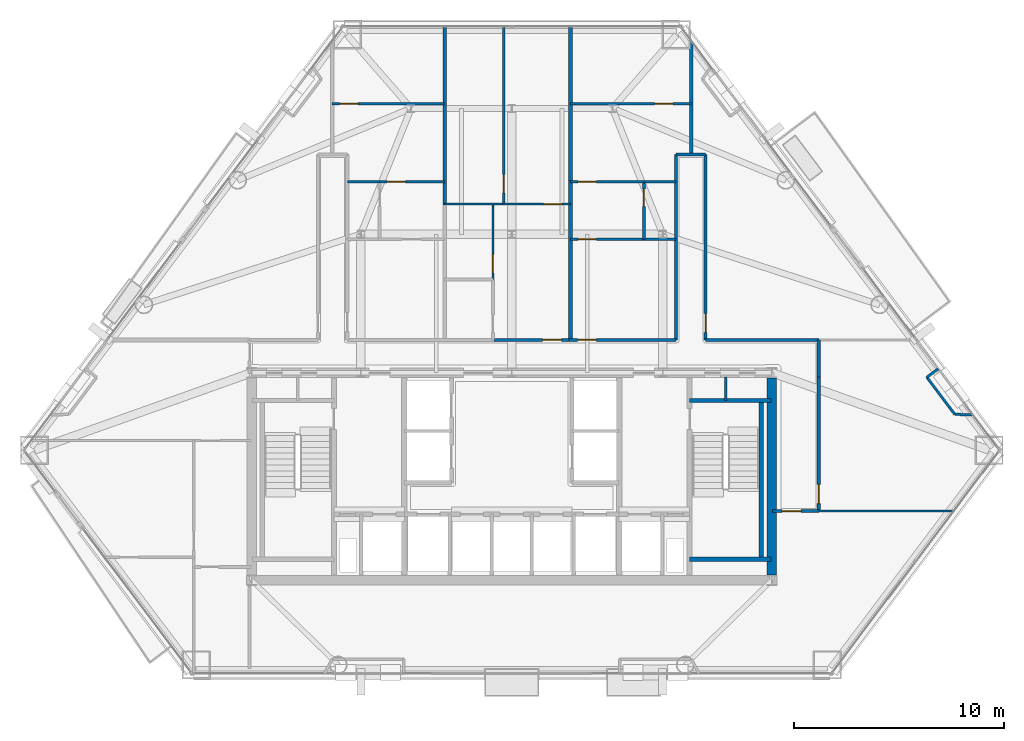
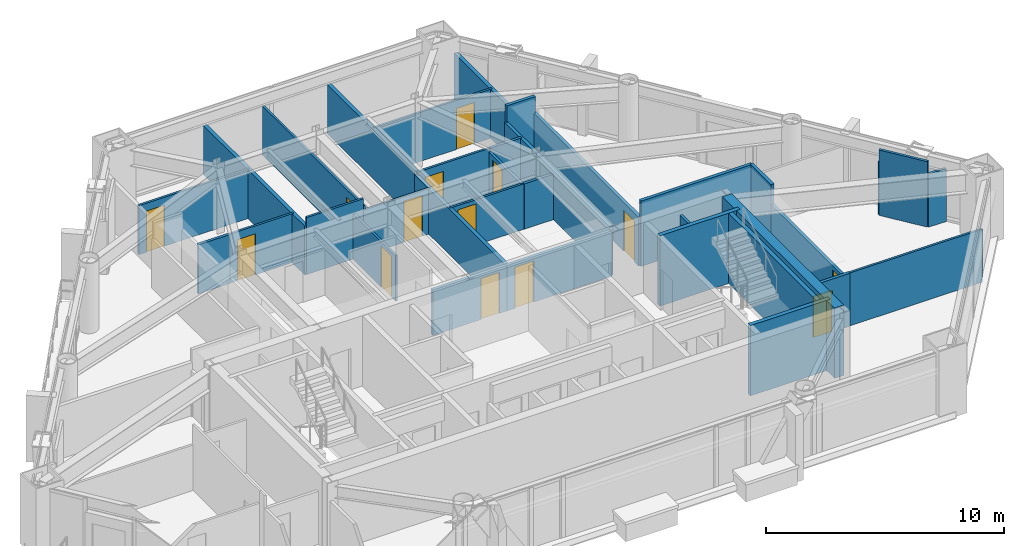
# One storey, part 8 of 11: 35 walls, 14 doors, 14 openings.
"""IFC4 building model written with IfcOpenShell, lengths in metres."""

from ifc_helpers import new_model, si_unit, direction, frame, frame_2d, origin, place, context, subcontext, project, spatial, rectangle, extrude, material, layer, layer_set, type_object, element, fill, save


model = new_model("IFC4")

# Units and contexts
model_context = context("Model", 3, precision=1e-05, world=origin(), true_north=direction((0.0, 1.0)))
body_context = subcontext(model_context, "Body", "Model", "MODEL_VIEW")
ifc_project = project(units=[si_unit("LENGTHUNIT", "METRE"), si_unit("AREAUNIT", "SQUARE_METRE"), si_unit("VOLUMEUNIT", "CUBIC_METRE"), si_unit("PLANEANGLEUNIT", "RADIAN"), si_unit("MASSUNIT", "GRAM", prefix="KILO")], contexts=[model_context])

# Site, building, storey
site_placement = place(None, origin())
site = spatial("IfcSite", under=ifc_project, at=site_placement, CompositionType="ELEMENT")
building_placement = place(site_placement, origin())
building = spatial("IfcBuilding", under=site, at=building_placement, Name="Talgorran Terracotta Tower", CompositionType="ELEMENT")
storey_placement = place(building_placement, frame((0.0, 0.0, 45.89990234375)))
storey = spatial("IfcBuildingStorey", under=building, at=storey_placement, Name="L11", CompositionType="ELEMENT", Elevation=45.89990234375)

# Walls
ifc_material_1 = material(Name="Concrete C50/60", Category="concrete")
ifc_layer_1 = layer(ifc_material_1, 0.199951171875, Name="WT_CORE_200")
ifc_layer_set_1 = layer_set([ifc_layer_1], Name="Concrete C50/60")
wall_type_1 = type_object("IfcWallType", Name="WT_CORE_200", PredefinedType="SOLIDWALL", material=ifc_layer_set_1)
for number, where, z_axis, x_axis, name in (
    (1, (8.47998046875, -5.52001953125, 0.0), (0.0, 0.0, 1.0), (1.0, 0.0, 0.0), "WL-L11-CW-ST2-N"),
    (2, (8.47998046875, -13.10009765625, 0.0), (0.0, 0.0, 1.0), (1.0, 0.0, 0.0), "WL-L11-CW-ST2-S"),
):
    element("IfcWall", number, at=place(storey_placement, frame(where, z_axis=z_axis, x_axis=x_axis)), inside=storey, type_object=wall_type_1, Name=name, PredefinedType="SOLIDWALL", context=body_context, shape_type="SweptSolid", body=[
        extrude(rectangle(XDim=3.8701171875, YDim=0.199951171875, at=frame_2d((1.93505859375, 0.0))), origin(), (0.0, 0.0, 1.0), 3.60009765625),
    ])
wall_1_placement = place(storey_placement, frame((11.89990234375, -13.10009765625, 0.0), z_axis=(0.0, 0.0, 1.0), x_axis=(0.0, 1.0, 0.0)))
element("IfcWall", 3, at=wall_1_placement, inside=storey, type_object=wall_type_1, Name="WL-L11-CW-ST2-E", PredefinedType="SOLIDWALL", context=body_context, shape_type="SweptSolid", body=[
    extrude(rectangle(XDim=7.580078125, YDim=0.199951171875, at=frame_2d((3.7900390625, 0.0))), origin(), (0.0, 0.0, 1.0), 3.60009765625),
])
ifc_material_2 = material(Name="Concrete C65/80", Category="concrete")
ifc_layer_2 = layer(ifc_material_2, 0.449951171875, Name="WT_CORE_EXT")
ifc_layer_set_2 = layer_set([ifc_layer_2], Name="Concrete C65/80")
wall_type_2 = type_object("IfcWallType", Name="WT_CORE_EXT", PredefinedType="SHEAR", material=ifc_layer_set_2)
wall_2_placement = place(storey_placement, frame((12.39990234375, -13.85009765625, 0.0), z_axis=(0.0, 0.0, 1.0), x_axis=(0.0, 1.0, 0.0)))
element("IfcWall", 4, at=wall_2_placement, inside=storey, type_object=wall_type_2, Name="WL-L11-CW-OUT-E", PredefinedType="SHEAR", context=body_context, shape_type="SweptSolid", body=[
    extrude(rectangle(XDim=9.400146484375, YDim=0.449951171875, at=frame_2d((4.7001953125, 0.0))), origin(), (0.0, 0.0, 1.0), 3.60009765625),
])

# Wall, opening, door
ifc_material_3 = material(Name="Fire-Rated Steel Stud Plasterboard", Category="steel")
ifc_layer_3 = layer(ifc_material_3, 0.14990234375, Name="WT_FIRE_150")
ifc_layer_set_3 = layer_set([ifc_layer_3], Name="Fire-Rated Steel Stud Plasterboard")
wall_type_3 = type_object("IfcWallType", Name="WT_FIRE_150", PredefinedType="PARTITIONING", material=ifc_layer_set_3)
wall_3_placement = place(storey_placement, frame((9.239990234375, -2.639892578125, 0.0), z_axis=(0.0, 0.0, 1.0), x_axis=(0.0, 1.0, 0.0)))
wall_3 = element("IfcWall", 5, at=wall_3_placement, inside=storey, type_object=wall_type_3, Name="WL-L11-W-L11-R21", PredefinedType="PARTITIONING", context=body_context, shape_type="SweptSolid", body=[
    extrude(rectangle(XDim=8.83984375, YDim=0.14990234375, at=frame_2d((4.419921875, 0.0))), origin(), (0.0, 0.0, 1.0), 2.509033203125),
])
opening_1_placement = place(wall_3_placement, frame((0.359375, 0.0, 0.0)))
opening_1 = element("IfcOpeningElement", 6, at=opening_1_placement, cuts=wall_3, Name="Opening DR-L11-R22", PredefinedType="OPENING", context=body_context, shape_type="SweptSolid", body=[
    extrude(rectangle(XDim=0.90590234375, YDim=2.10409765625, at=frame_2d((0.449951171875, 1.052001953125))), frame((0.0, 0.0849609375, 0.0), z_axis=(0.0, -1.0, 0.0), x_axis=(1.0, 0.0, 0.0)), (0.0, 0.0, 1.0), 0.169921875),
])
ifc_material_4 = material(Name="Fire-Rated Timber Core", Category="wood")
door_type_1 = type_object("IfcDoorType", Name="DT_FIRE_900", OperationType="NOTDEFINED", PredefinedType="DOOR", material=ifc_material_4)
door_1_placement = place(opening_1_placement, origin())
door_1 = element("IfcDoor", 7, at=door_1_placement, inside=storey, type_object=door_type_1, Name="DR-L11-R22", OperationType="SINGLE_SWING_RIGHT", OverallHeight=2.10009765625, OverallWidth=0.89990234375, PredefinedType="DOOR", context=body_context, shape_type="SweptSolid", body=[
    extrude(rectangle(XDim=0.89990234375, YDim=2.10009765625, at=frame_2d((0.449951171875, 1.050048828125))), frame((0.0, 0.02490234375, 0.0), z_axis=(0.0, -1.0, 0.0), x_axis=(1.0, 0.0, 0.0)), (0.0, 0.0, 1.0), 0.050048828125),
])
fill(opening_1, door_1)

wall_4_placement = place(storey_placement, frame((14.639892578125, -10.800048828125, 0.0), z_axis=(0.0, 0.0, 1.0), x_axis=(0.0, 1.0, 0.0)))
wall_4 = element("IfcWall", 8, at=wall_4_placement, inside=storey, type_object=wall_type_3, Name="WL-L11-W-L11-R02", PredefinedType="PARTITIONING", context=body_context, shape_type="SweptSolid", body=[
    extrude(rectangle(XDim=6.400146484375, YDim=0.14990234375, at=frame_2d((3.2001953125, 0.0))), origin(), (0.0, 0.0, 1.0), 2.3251953125),
])
opening_2_placement = place(wall_4_placement, frame((0.359130859375, 0.0, 0.0)))
opening_2 = element("IfcOpeningElement", 9, at=opening_2_placement, cuts=wall_4, Name="Opening DR-L11-R04", PredefinedType="OPENING", context=body_context, shape_type="SweptSolid", body=[
    extrude(rectangle(XDim=0.90590234375, YDim=2.10409765625, at=frame_2d((0.449951171875, 1.052001953125))), frame((0.0, 0.0849609375, 0.0), z_axis=(0.0, -1.0, 0.0), x_axis=(1.0, 0.0, 0.0)), (0.0, 0.0, 1.0), 0.169921875),
])
door_2_placement = place(opening_2_placement, origin())
door_2 = element("IfcDoor", 10, at=door_2_placement, inside=storey, type_object=door_type_1, Name="DR-L11-R04", OperationType="SINGLE_SWING_RIGHT", OverallHeight=2.10009765625, OverallWidth=0.89990234375, PredefinedType="DOOR", context=body_context, shape_type="SweptSolid", body=[
    extrude(rectangle(XDim=0.89990234375, YDim=2.10009765625, at=frame_2d((0.449951171875, 1.050048828125))), frame((0.0, 0.02490234375, 0.0), z_axis=(0.0, -1.0, 0.0), x_axis=(1.0, 0.0, 0.0)), (0.0, 0.0, 1.0), 0.050048828125),
])
fill(opening_2, door_2)

# Wall
wall_5_placement = place(storey_placement, frame((9.239990234375, -2.639892578125, 0.0), z_axis=(0.0, 0.0, 1.0), x_axis=(1.0, 0.0, 0.0)))
element("IfcWall", 11, at=wall_5_placement, inside=storey, type_object=wall_type_3, Name="WL-L11-W-L11-R22", PredefinedType="PARTITIONING", context=body_context, shape_type="SweptSolid", body=[
    extrude(rectangle(XDim=5.39990234375, YDim=0.14990234375, at=frame_2d((2.699951171875, 0.0))), origin(), (0.0, 0.0, 1.0), 3.35009765625),
])

# Wall, opening, door
wall_6_placement = place(storey_placement, frame((2.739990234375, -2.639892578125, 0.0), z_axis=(0.0, 0.0, 1.0), x_axis=(1.0, 0.0, 0.0)))
wall_6 = element("IfcWall", 12, at=wall_6_placement, inside=storey, type_object=wall_type_3, Name="WL-L11-W-L11-R15", PredefinedType="PARTITIONING", context=body_context, shape_type="SweptSolid", body=[
    extrude(rectangle(XDim=5.10009765625, YDim=0.14990234375, at=frame_2d((2.550048828125, 0.0))), origin(), (0.0, 0.0, 1.0), 2.3251953125),
])
opening_3_placement = place(wall_6_placement, frame((0.39990234375, 0.0, 0.0)))
opening_3 = element("IfcOpeningElement", 13, at=opening_3_placement, cuts=wall_6, Name="Opening DR-L11-R17", PredefinedType="OPENING", context=body_context, shape_type="SweptSolid", body=[
    extrude(rectangle(XDim=0.90590234375, YDim=2.10409765625, at=frame_2d((0.449951171875, 1.052001953125))), frame((0.0, 0.0849609375, 0.0), z_axis=(0.0, -1.0, 0.0), x_axis=(1.0, 0.0, 0.0)), (0.0, 0.0, 1.0), 0.169921875),
])
door_3_placement = place(opening_3_placement, origin())
door_3 = element("IfcDoor", 14, at=door_3_placement, inside=storey, type_object=door_type_1, Name="DR-L11-R17", OperationType="SINGLE_SWING_LEFT", OverallHeight=2.10009765625, OverallWidth=0.89990234375, PredefinedType="DOOR", context=body_context, shape_type="SweptSolid", body=[
    extrude(rectangle(XDim=0.89990234375, YDim=2.10009765625, at=frame_2d((0.449951171875, 1.050048828125))), frame((0.0, 0.02490234375, 0.0), z_axis=(0.0, -1.0, 0.0), x_axis=(1.0, 0.0, 0.0)), (0.0, 0.0, 1.0), 0.050048828125),
])
fill(opening_3, door_3)

# Wall
wall_7_placement = place(storey_placement, frame((7.840087890625, -2.639892578125, 0.0), z_axis=(0.0, 0.0, 1.0), x_axis=(0.0, 1.0, 0.0)))
element("IfcWall", 15, at=wall_7_placement, inside=storey, type_object=wall_type_3, Name="WL-L11-W-L11-R16", PredefinedType="PARTITIONING", context=body_context, shape_type="SweptSolid", body=[
    extrude(rectangle(XDim=8.83984375, YDim=0.14990234375, at=frame_2d((4.419921875, 0.0))), origin(), (0.0, 0.0, 1.0), 2.509033203125),
])

# Wall, opening, door
wall_8_placement = place(storey_placement, frame((-0.837890625, -2.639892578125, 0.0), z_axis=(0.0, 0.0, 1.0), x_axis=(1.0, 0.0, 0.0)))
wall_8 = element("IfcWall", 16, at=wall_8_placement, inside=storey, type_object=wall_type_3, Name="WL-L11-W-L11-R14", PredefinedType="PARTITIONING", context=body_context, shape_type="SweptSolid", body=[
    extrude(rectangle(XDim=3.575927734375, YDim=0.14990234375, at=frame_2d((1.7880859375, 0.0))), origin(), (0.0, 0.0, 1.0), 2.3251953125),
])
opening_4_placement = place(wall_8_placement, frame((2.318115234375, 0.0, 0.0)))
opening_4 = element("IfcOpeningElement", 17, at=opening_4_placement, cuts=wall_8, Name="Opening DR-L11-R14", PredefinedType="OPENING", context=body_context, shape_type="SweptSolid", body=[
    extrude(rectangle(XDim=0.90590234375, YDim=2.10409765625, at=frame_2d((0.449951171875, 1.052001953125))), frame((0.0, 0.0849609375, 0.0), z_axis=(0.0, -1.0, 0.0), x_axis=(1.0, 0.0, 0.0)), (0.0, 0.0, 1.0), 0.169921875),
])
door_4_placement = place(opening_4_placement, origin())
door_4 = element("IfcDoor", 18, at=door_4_placement, inside=storey, type_object=door_type_1, Name="DR-L11-R14", OperationType="SINGLE_SWING_RIGHT", OverallHeight=2.10009765625, OverallWidth=0.89990234375, PredefinedType="DOOR", context=body_context, shape_type="SweptSolid", body=[
    extrude(rectangle(XDim=0.89990234375, YDim=2.10009765625, at=frame_2d((0.449951171875, 1.050048828125))), frame((0.0, 0.02490234375, 0.0), z_axis=(0.0, -1.0, 0.0), x_axis=(1.0, 0.0, 0.0)), (0.0, 0.0, 1.0), 0.050048828125),
])
fill(opening_4, door_4)

wall_9_placement = place(storey_placement, frame((12.43994140625, -10.800048828125, 0.0), z_axis=(0.0, 0.0, 1.0), x_axis=(1.0, 0.0, 0.0)))
wall_9 = element("IfcWall", 19, at=wall_9_placement, inside=storey, type_object=wall_type_3, Name="WL-L11-W-L11-R04", PredefinedType="PARTITIONING", context=body_context, shape_type="SweptSolid", body=[
    extrude(rectangle(XDim=2.199951171875, YDim=0.14990234375, at=frame_2d((1.10009765625, 0.0))), origin(), (0.0, 0.0, 1.0), 2.71337890625),
])
opening_5_placement = place(wall_9_placement, frame((0.456298828125, 0.0, 0.0)))
opening_5 = element("IfcOpeningElement", 20, at=opening_5_placement, cuts=wall_9, Name="Opening DR-L11-R05", PredefinedType="OPENING", context=body_context, shape_type="SweptSolid", body=[
    extrude(rectangle(XDim=0.90590234375, YDim=2.10409765625, at=frame_2d((0.449951171875, 1.052001953125))), frame((0.0, 0.0849609375, 0.0), z_axis=(0.0, -1.0, 0.0), x_axis=(1.0, 0.0, 0.0)), (0.0, 0.0, 1.0), 0.169921875),
])
door_5_placement = place(opening_5_placement, origin())
door_5 = element("IfcDoor", 21, at=door_5_placement, inside=storey, type_object=door_type_1, Name="DR-L11-R05", OperationType="SINGLE_SWING_LEFT", OverallHeight=2.10009765625, OverallWidth=0.89990234375, PredefinedType="DOOR", context=body_context, shape_type="SweptSolid", body=[
    extrude(rectangle(XDim=0.89990234375, YDim=2.10009765625, at=frame_2d((0.449951171875, 1.050048828125))), frame((0.0, 0.02490234375, 0.0), z_axis=(0.0, -1.0, 0.0), x_axis=(1.0, 0.0, 0.0)), (0.0, 0.0, 1.0), 0.050048828125),
])
fill(opening_5, door_5)

# Walls
wall_10_placement = place(storey_placement, frame((14.639892578125, -4.39990234375, 0.0), z_axis=(0.0, 0.0, 1.0), x_axis=(0.0, 1.0, 0.0)))
element("IfcWall", 22, at=wall_10_placement, inside=storey, type_object=wall_type_3, Name="WL-L11-W-L11-R03", PredefinedType="PARTITIONING", context=body_context, shape_type="SweptSolid", body=[
    extrude(rectangle(XDim=1.760009765625, YDim=0.14990234375, at=frame_2d((0.8798828125, 0.0))), origin(), (0.0, 0.0, 1.0), 3.35009765625),
])
wall_11_placement = place(storey_placement, frame((7.840087890625, 6.199951171875, 0.0), z_axis=(0.0, 0.0, 1.0), x_axis=(1.0, 0.0, 0.0)))
element("IfcWall", 23, at=wall_11_placement, inside=storey, type_object=wall_type_3, Name="WL-L11-W-L11-R19", PredefinedType="PARTITIONING", context=body_context, shape_type="SweptSolid", body=[
    extrude(rectangle(XDim=1.39990234375, YDim=0.14990234375, at=frame_2d((0.699951171875, 0.0))), origin(), (0.0, 0.0, 1.0), 3.35009765625),
])
ifc_material_5 = material(Name="Acoustic Stud and Plasterboard")
ifc_layer_4 = layer(ifc_material_5, 0.179931640625, Name="WT_PARTY_200")
ifc_layer_set_4 = layer_set([ifc_layer_4], Name="Acoustic Stud and Plasterboard")
wall_type_4 = type_object("IfcWallType", Name="WT_PARTY_200", PredefinedType="PARTITIONING", material=ifc_layer_set_4)
wall_12_placement = place(storey_placement, frame((2.800048828125, -2.639892578125, 0.0), z_axis=(0.0, 0.0, 1.0), x_axis=(0.0, 1.0, 0.0)))
element("IfcWall", 24, at=wall_12_placement, inside=storey, type_object=wall_type_4, Name="WL-L11-W-L11-R53", PredefinedType="PARTITIONING", context=body_context, shape_type="SweptSolid", body=[
    extrude(rectangle(XDim=7.599853515625, YDim=0.179931640625, at=frame_2d((3.7998046875, 0.0))), origin(), (0.0, 0.0, 1.0), 2.3251953125),
])
wall_13_placement = place(storey_placement, frame((2.800048828125, 4.9619140625, 0.0), z_axis=(0.0, 0.0, 1.0), x_axis=(0.0, 1.0, 0.0)))
element("IfcWall", 25, at=wall_13_placement, inside=storey, type_object=wall_type_4, Name="WL-L11-W-L11-R57", PredefinedType="PARTITIONING", context=body_context, shape_type="SweptSolid", body=[
    extrude(rectangle(XDim=7.34375, YDim=0.179931640625, at=frame_2d((3.671875, 0.0))), origin(), (0.0, 0.0, 1.0), 2.509033203125),
])
wall_14_placement = place(storey_placement, frame((-3.199951171875, 3.800048828125, 0.0), z_axis=(0.0, 0.0, 1.0), x_axis=(0.0, 1.0, 0.0)))
element("IfcWall", 26, at=wall_14_placement, inside=storey, type_object=wall_type_4, Name="WL-L11-W-L11-R45", PredefinedType="PARTITIONING", context=body_context, shape_type="SweptSolid", body=[
    extrude(rectangle(XDim=8.505615234375, YDim=0.179931640625, at=frame_2d((4.2529296875, 0.0))), origin(), (0.0, 0.0, 1.0), 2.509033203125),
])
wall_15_placement = place(storey_placement, frame((8.56005859375, 6.199951171875, 0.0), z_axis=(0.0, 0.0, 1.0), x_axis=(0.0, 1.0, 0.0)))
element("IfcWall", 27, at=wall_15_placement, inside=storey, type_object=wall_type_4, Name="WL-L11-W-L11-R66", PredefinedType="PARTITIONING", context=body_context, shape_type="SweptSolid", body=[
    extrude(rectangle(XDim=5.424560546875, YDim=0.179931640625, at=frame_2d((2.71240234375, 0.0))), origin(), (0.0, 0.0, 1.0), 2.509033203125),
])

# Wall, opening, door
ifc_material_6 = material(Name="Lightweight Steel Stud Partition", Category="steel")
ifc_layer_5 = layer(ifc_material_6, 0.10498046875, Name="WT_PART_110")
ifc_layer_set_5 = layer_set([ifc_layer_5], Name="Lightweight Steel Stud Partition")
wall_type_5 = type_object("IfcWallType", Name="WT_PART_110", PredefinedType="PARTITIONING", material=ifc_layer_set_5)
wall_16_placement = place(storey_placement, frame((-0.3798828125, 3.840087890625, 0.0), z_axis=(0.0, 0.0, 1.0), x_axis=(0.0, 1.0, 0.0)))
wall_16 = element("IfcWall", 28, at=wall_16_placement, inside=storey, type_object=wall_type_5, Name="WL-L11-W-L11-R55", PredefinedType="PARTITIONING", context=body_context, shape_type="SweptSolid", body=[
    extrude(rectangle(XDim=8.465576171875, YDim=0.10498046875, at=frame_2d((4.23291015625, 0.0))), origin(), (0.0, 0.0, 1.0), 2.509033203125),
])
opening_6_placement = place(wall_16_placement, frame((0.51806640625, 0.0, 0.0)))
opening_6 = element("IfcOpeningElement", 29, at=opening_6_placement, cuts=wall_16, Name="Opening DR-L11-R15", PredefinedType="OPENING", context=body_context, shape_type="SweptSolid", body=[
    extrude(rectangle(XDim=0.8858828125, YDim=2.10409765625, at=frame_2d((0.43994140625, 1.052001953125))), frame((0.0, 0.0625, 0.0), z_axis=(0.0, -1.0, 0.0), x_axis=(1.0, 0.0, 0.0)), (0.0, 0.0, 1.0), 0.125),
])
ifc_material_7 = material(Name="Solid-Core Painted Timber", Category="wood")
door_type_2 = type_object("IfcDoorType", Name="DT_INT_880", OperationType="NOTDEFINED", PredefinedType="DOOR", material=ifc_material_7)
door_6_placement = place(opening_6_placement, origin())
door_6 = element("IfcDoor", 30, at=door_6_placement, inside=storey, type_object=door_type_2, Name="DR-L11-R15", OperationType="SINGLE_SWING_LEFT", OverallHeight=2.10009765625, OverallWidth=0.8798828125, PredefinedType="DOOR", context=body_context, shape_type="SweptSolid", body=[
    extrude(rectangle(XDim=0.8798828125, YDim=2.10009765625, at=frame_2d((0.43994140625, 1.050048828125))), frame((0.0, 0.02490234375, 0.0), z_axis=(0.0, -1.0, 0.0), x_axis=(1.0, 0.0, 0.0)), (0.0, 0.0, 1.0), 0.050048828125),
])
fill(opening_6, door_6)

# Wall
wall_17_placement = place(storey_placement, frame((14.639892578125, -10.800048828125, 0.0), z_axis=(0.0, 0.0, 1.0), x_axis=(1.0, 0.0, 0.0)))
element("IfcWall", 31, at=wall_17_placement, inside=storey, type_object=wall_type_5, Name="WL-L11-W-L11-R31", PredefinedType="PARTITIONING", context=body_context, shape_type="SweptSolid", body=[
    extrude(rectangle(XDim=6.429931640625, YDim=0.10498046875, at=frame_2d((3.21484375, 0.0))), origin(), (0.0, 0.0, 1.0), 2.71337890625),
])

# Wall, opening, door
wall_18_placement = place(storey_placement, frame((2.800048828125, 8.6201171875, 0.0), z_axis=(0.0, 0.0, 1.0), x_axis=(1.0, 0.0, 0.0)))
wall_18 = element("IfcWall", 32, at=wall_18_placement, inside=storey, type_object=wall_type_5, Name="WL-L11-W-L11-R64", PredefinedType="PARTITIONING", context=body_context, shape_type="SweptSolid", body=[
    extrude(rectangle(XDim=5.760009765625, YDim=0.10498046875, at=frame_2d((2.8798828125, 0.0))), origin(), (0.0, 0.0, 1.0), 2.509033203125),
])
opening_7_placement = place(wall_18_placement, frame((4.006591796875, 0.0, 0.0)))
opening_7 = element("IfcOpeningElement", 33, at=opening_7_placement, cuts=wall_18, Name="Opening DR-L11-R21", PredefinedType="OPENING", context=body_context, shape_type="SweptSolid", body=[
    extrude(rectangle(XDim=0.8858828125, YDim=2.10409765625, at=frame_2d((0.43994140625, 1.052001953125))), frame((0.0, 0.0625, 0.0), z_axis=(0.0, -1.0, 0.0), x_axis=(1.0, 0.0, 0.0)), (0.0, 0.0, 1.0), 0.125),
])
door_7_placement = place(opening_7_placement, origin())
door_7 = element("IfcDoor", 34, at=door_7_placement, inside=storey, type_object=door_type_2, Name="DR-L11-R21", OperationType="SINGLE_SWING_LEFT", OverallHeight=2.10009765625, OverallWidth=0.8798828125, PredefinedType="DOOR", context=body_context, shape_type="SweptSolid", body=[
    extrude(rectangle(XDim=0.8798828125, YDim=2.10009765625, at=frame_2d((0.43994140625, 1.050048828125))), frame((0.0, 0.02490234375, 0.0), z_axis=(0.0, -1.0, 0.0), x_axis=(1.0, 0.0, 0.0)), (0.0, 0.0, 1.0), 0.050048828125),
])
fill(opening_7, door_7)

wall_19_placement = place(storey_placement, frame((-8.56005859375, 8.6201171875, 0.0), z_axis=(0.0, 0.0, 1.0), x_axis=(1.0, 0.0, 0.0)))
wall_19 = element("IfcWall", 35, at=wall_19_placement, inside=storey, type_object=wall_type_5, Name="WL-L11-W-L11-R44", PredefinedType="PARTITIONING", context=body_context, shape_type="SweptSolid", body=[
    extrude(rectangle(XDim=5.360107421875, YDim=0.10498046875, at=frame_2d((2.68017578125, 0.0))), origin(), (0.0, 0.0, 1.0), 2.509033203125),
])
opening_8_placement = place(wall_19_placement, frame((0.35791015625, 0.0, 0.0)))
opening_8 = element("IfcOpeningElement", 36, at=opening_8_placement, cuts=wall_19, Name="Opening DR-L11-R11", PredefinedType="OPENING", context=body_context, shape_type="SweptSolid", body=[
    extrude(rectangle(XDim=0.8858828125, YDim=2.10409765625, at=frame_2d((0.43994140625, 1.052001953125))), frame((0.0, 0.0625, 0.0), z_axis=(0.0, -1.0, 0.0), x_axis=(1.0, 0.0, 0.0)), (0.0, 0.0, 1.0), 0.125),
])
door_8_placement = place(opening_8_placement, origin())
door_8 = element("IfcDoor", 37, at=door_8_placement, inside=storey, type_object=door_type_2, Name="DR-L11-R11", OperationType="SINGLE_SWING_LEFT", OverallHeight=2.10009765625, OverallWidth=0.8798828125, PredefinedType="DOOR", context=body_context, shape_type="SweptSolid", body=[
    extrude(rectangle(XDim=0.8798828125, YDim=2.10009765625, at=frame_2d((0.43994140625, 1.050048828125))), frame((0.0, 0.02490234375, 0.0), z_axis=(0.0, -1.0, 0.0), x_axis=(1.0, 0.0, 0.0)), (0.0, 0.0, 1.0), 0.050048828125),
])
fill(opening_8, door_8)

wall_20_placement = place(storey_placement, frame((-0.89990234375, 0.239990234375, 0.0), z_axis=(0.0, 0.0, 1.0), x_axis=(0.0, 1.0, 0.0)))
wall_20 = element("IfcWall", 38, at=wall_20_placement, inside=storey, type_object=wall_type_5, Name="WL-L11-W-L11-R49", PredefinedType="PARTITIONING", context=body_context, shape_type="SweptSolid", body=[
    extrude(rectangle(XDim=3.60009765625, YDim=0.10498046875, at=frame_2d((1.800048828125, 0.0))), origin(), (0.0, 0.0, 1.0), 2.3251953125),
])
opening_9_placement = place(wall_20_placement, frame((0.320068359375, 0.0, 0.0)))
opening_9 = element("IfcOpeningElement", 39, at=opening_9_placement, cuts=wall_20, Name="Opening DR-L11-R13", PredefinedType="OPENING", context=body_context, shape_type="SweptSolid", body=[
    extrude(rectangle(XDim=0.8858828125, YDim=2.10409765625, at=frame_2d((0.43994140625, 1.052001953125))), frame((0.0, 0.0625, 0.0), z_axis=(0.0, -1.0, 0.0), x_axis=(1.0, 0.0, 0.0)), (0.0, 0.0, 1.0), 0.125),
])
door_9_placement = place(opening_9_placement, origin())
door_9 = element("IfcDoor", 40, at=door_9_placement, inside=storey, type_object=door_type_2, Name="DR-L11-R13", OperationType="SINGLE_SWING_LEFT", OverallHeight=2.10009765625, OverallWidth=0.8798828125, PredefinedType="DOOR", context=body_context, shape_type="SweptSolid", body=[
    extrude(rectangle(XDim=0.8798828125, YDim=2.10009765625, at=frame_2d((0.43994140625, 1.050048828125))), frame((0.0, 0.02490234375, 0.0), z_axis=(0.0, -1.0, 0.0), x_axis=(1.0, 0.0, 0.0)), (0.0, 0.0, 1.0), 0.050048828125),
])
fill(opening_9, door_9)

wall_21_placement = place(storey_placement, frame((2.800048828125, 2.159912109375, 0.0), z_axis=(0.0, 0.0, 1.0), x_axis=(1.0, 0.0, 0.0)))
wall_21 = element("IfcWall", 41, at=wall_21_placement, inside=storey, type_object=wall_type_5, Name="WL-L11-W-L11-R60", PredefinedType="PARTITIONING", context=body_context, shape_type="SweptSolid", body=[
    extrude(rectangle(XDim=3.56005859375, YDim=0.10498046875, at=frame_2d((1.780029296875, 0.0))), origin(), (0.0, 0.0, 1.0), 2.3251953125),
])
opening_10_placement = place(wall_21_placement, frame((0.356201171875, 0.0, 0.0)))
opening_10 = element("IfcOpeningElement", 42, at=opening_10_placement, cuts=wall_21, Name="Opening DR-L11-R19", PredefinedType="OPENING", context=body_context, shape_type="SweptSolid", body=[
    extrude(rectangle(XDim=0.8858828125, YDim=2.10409765625, at=frame_2d((0.43994140625, 1.052001953125))), frame((0.0, 0.0625, 0.0), z_axis=(0.0, -1.0, 0.0), x_axis=(1.0, 0.0, 0.0)), (0.0, 0.0, 1.0), 0.125),
])
door_10_placement = place(opening_10_placement, origin())
door_10 = element("IfcDoor", 43, at=door_10_placement, inside=storey, type_object=door_type_2, Name="DR-L11-R19", OperationType="SINGLE_SWING_LEFT", OverallHeight=2.10009765625, OverallWidth=0.8798828125, PredefinedType="DOOR", context=body_context, shape_type="SweptSolid", body=[
    extrude(rectangle(XDim=0.8798828125, YDim=2.10009765625, at=frame_2d((0.43994140625, 1.050048828125))), frame((0.0, 0.02490234375, 0.0), z_axis=(0.0, -1.0, 0.0), x_axis=(1.0, 0.0, 0.0)), (0.0, 0.0, 1.0), 0.050048828125),
])
fill(opening_10, door_10)

wall_22_placement = place(storey_placement, frame((2.800048828125, 4.89990234375, 0.0), z_axis=(0.0, 0.0, 1.0), x_axis=(1.0, 0.0, 0.0)))
wall_22 = element("IfcWall", 44, at=wall_22_placement, inside=storey, type_object=wall_type_5, Name="WL-L11-W-L11-R63", PredefinedType="PARTITIONING", context=body_context, shape_type="SweptSolid", body=[
    extrude(rectangle(XDim=3.5, YDim=0.10498046875, at=frame_2d((1.75, 0.0))), origin(), (0.0, 0.0, 1.0), 2.509033203125),
])
opening_11_placement = place(wall_22_placement, frame((0.35791015625, 0.0, 0.0)))
opening_11 = element("IfcOpeningElement", 45, at=opening_11_placement, cuts=wall_22, Name="Opening DR-L11-R20", PredefinedType="OPENING", context=body_context, shape_type="SweptSolid", body=[
    extrude(rectangle(XDim=0.8858828125, YDim=2.10409765625, at=frame_2d((0.43994140625, 1.052001953125))), frame((0.0, 0.0625, 0.0), z_axis=(0.0, -1.0, 0.0), x_axis=(1.0, 0.0, 0.0)), (0.0, 0.0, 1.0), 0.125),
])
door_11_placement = place(opening_11_placement, origin())
door_11 = element("IfcDoor", 46, at=door_11_placement, inside=storey, type_object=door_type_2, Name="DR-L11-R20", OperationType="SINGLE_SWING_RIGHT", OverallHeight=2.10009765625, OverallWidth=0.8798828125, PredefinedType="DOOR", context=body_context, shape_type="SweptSolid", body=[
    extrude(rectangle(XDim=0.8798828125, YDim=2.10009765625, at=frame_2d((0.43994140625, 1.050048828125))), frame((0.0, 0.02490234375, 0.0), z_axis=(0.0, -1.0, 0.0), x_axis=(1.0, 0.0, 0.0)), (0.0, 0.0, 1.0), 0.050048828125),
])
fill(opening_11, door_11)

wall_23_placement = place(storey_placement, frame((-0.43994140625, 3.840087890625, 0.0), z_axis=(0.0, 0.0, 1.0), x_axis=(1.0, 0.0, 0.0)))
wall_23 = element("IfcWall", 47, at=wall_23_placement, inside=storey, type_object=wall_type_5, Name="WL-L11-W-L11-R52", PredefinedType="PARTITIONING", context=body_context, shape_type="SweptSolid", body=[
    extrude(rectangle(XDim=3.239990234375, YDim=0.10498046875, at=frame_2d((1.6201171875, 0.0))), origin(), (0.0, 0.0, 1.0), 2.3251953125),
])
opening_12_placement = place(wall_23_placement, frame((1.9599609375, 0.0, 0.0)))
opening_12 = element("IfcOpeningElement", 48, at=opening_12_placement, cuts=wall_23, Name="Opening DR-L11-R16", PredefinedType="OPENING", context=body_context, shape_type="SweptSolid", body=[
    extrude(rectangle(XDim=0.8858828125, YDim=2.10409765625, at=frame_2d((0.43994140625, 1.052001953125))), frame((0.0, 0.0625, 0.0), z_axis=(0.0, -1.0, 0.0), x_axis=(1.0, 0.0, 0.0)), (0.0, 0.0, 1.0), 0.125),
])
door_12_placement = place(opening_12_placement, origin())
door_12 = element("IfcDoor", 49, at=door_12_placement, inside=storey, type_object=door_type_2, Name="DR-L11-R16", OperationType="SINGLE_SWING_RIGHT", OverallHeight=2.10009765625, OverallWidth=0.8798828125, PredefinedType="DOOR", context=body_context, shape_type="SweptSolid", body=[
    extrude(rectangle(XDim=0.8798828125, YDim=2.10009765625, at=frame_2d((0.43994140625, 1.050048828125))), frame((0.0, 0.02490234375, 0.0), z_axis=(0.0, -1.0, 0.0), x_axis=(1.0, 0.0, 0.0)), (0.0, 0.0, 1.0), 0.050048828125),
])
fill(opening_12, door_12)

wall_24_placement = place(storey_placement, frame((-6.300048828125, 4.89990234375, 0.0), z_axis=(0.0, 0.0, 1.0), x_axis=(1.0, 0.0, 0.0)))
wall_24 = element("IfcWall", 50, at=wall_24_placement, inside=storey, type_object=wall_type_5, Name="WL-L11-W-L11-R41", PredefinedType="PARTITIONING", context=body_context, shape_type="SweptSolid", body=[
    extrude(rectangle(XDim=3.10009765625, YDim=0.10498046875, at=frame_2d((1.550048828125, 0.0))), origin(), (0.0, 0.0, 1.0), 2.509033203125),
])
opening_13_placement = place(wall_24_placement, frame((0.357666015625, 0.0, 0.0)))
opening_13 = element("IfcOpeningElement", 51, at=opening_13_placement, cuts=wall_24, Name="Opening DR-L11-R10", PredefinedType="OPENING", context=body_context, shape_type="SweptSolid", body=[
    extrude(rectangle(XDim=0.8858828125, YDim=2.10409765625, at=frame_2d((0.43994140625, 1.052001953125))), frame((0.0, 0.0625, 0.0), z_axis=(0.0, -1.0, 0.0), x_axis=(1.0, 0.0, 0.0)), (0.0, 0.0, 1.0), 0.125),
])
door_13_placement = place(opening_13_placement, origin())
door_13 = element("IfcDoor", 52, at=door_13_placement, inside=storey, type_object=door_type_2, Name="DR-L11-R10", OperationType="SINGLE_SWING_RIGHT", OverallHeight=2.10009765625, OverallWidth=0.8798828125, PredefinedType="DOOR", context=body_context, shape_type="SweptSolid", body=[
    extrude(rectangle(XDim=0.8798828125, YDim=2.10009765625, at=frame_2d((0.43994140625, 1.050048828125))), frame((0.0, 0.02490234375, 0.0), z_axis=(0.0, -1.0, 0.0), x_axis=(1.0, 0.0, 0.0)), (0.0, 0.0, 1.0), 0.050048828125),
])
fill(opening_13, door_13)

# Walls
wall_25_placement = place(storey_placement, frame((-3.199951171875, 3.840087890625, 0.0), z_axis=(0.0, 0.0, 1.0), x_axis=(1.0, 0.0, 0.0)))
element("IfcWall", 53, at=wall_25_placement, inside=storey, type_object=wall_type_5, Name="WL-L11-W-L11-R50", PredefinedType="PARTITIONING", context=body_context, shape_type="SweptSolid", body=[
    extrude(rectangle(XDim=2.758056640625, YDim=0.10498046875, at=frame_2d((1.37890625, 0.0))), origin(), (0.0, 0.0, 1.0), 2.918701171875),
])
ifc_material_8 = material(Name="Insulated Steel Stud Plasterboard", Category="steel")
ifc_layer_6 = layer(ifc_material_8, 0.1201171875, Name="WT_PART_120")
ifc_layer_set_6 = layer_set([ifc_layer_6], Name="Insulated Steel Stud Plasterboard")
wall_type_6 = type_object("IfcWallType", Name="WT_PART_120", PredefinedType="PARTITIONING", material=ifc_layer_set_6)
wall_26_placement = place(storey_placement, frame((10.199951171875, -5.52001953125, 0.0), z_axis=(0.0, 0.0, 1.0), x_axis=(0.0, 1.0, 0.0)))
element("IfcWall", 54, at=wall_26_placement, inside=storey, type_object=wall_type_6, Name="WL-L11-CW-CSE-DIV", PredefinedType="PARTITIONING", context=body_context, shape_type="SweptSolid", body=[
    extrude(rectangle(XDim=1.1201171875, YDim=0.1201171875, at=frame_2d((0.56005859375, 0.0))), origin(), (0.0, 0.0, 1.0), 3.35009765625),
])
wall_27_placement = place(storey_placement, frame((21.125, -6.188232421875, 0.0), z_axis=(0.0, 0.0, 1.0), x_axis=(-0.601604540601, 0.798794076548, 0.0)))
element("IfcWall", 55, at=wall_27_placement, inside=storey, type_object=wall_type_6, Name="WL-L11-BW-L11-13", PredefinedType="PARTITIONING", context=body_context, shape_type="SweptSolid", body=[
    extrude(rectangle(XDim=2.213623046875, YDim=0.1201171875, at=frame_2d((1.10693359375, 0.0))), origin(), (0.0, 0.0, 1.0), 3.35009765625),
])
wall_28_placement = place(storey_placement, frame((21.978271484375, -6.20751953125, 0.0), z_axis=(0.0, 0.0, 1.0), x_axis=(-0.999744633781, 0.022597947373, 0.0)))
element("IfcWall", 56, at=wall_28_placement, inside=storey, type_object=wall_type_6, Name="WL-L11-BW-L11-12", PredefinedType="PARTITIONING", context=body_context, shape_type="SweptSolid", body=[
    extrude(rectangle(XDim=0.853515625, YDim=0.1201171875, at=frame_2d((0.4267578125, 0.0))), origin(), (0.0, 0.0, 1.0), 2.71337890625),
])
wall_29_placement = place(storey_placement, frame((19.793212890625, -4.419921875, 0.0), z_axis=(0.0, 0.0, 1.0), x_axis=(0.798949061571, 0.601398700544, 0.0)))
element("IfcWall", 57, at=wall_29_placement, inside=storey, type_object=wall_type_6, Name="WL-L11-BW-L11-11", PredefinedType="PARTITIONING", context=body_context, shape_type="SweptSolid", body=[
    extrude(rectangle(XDim=0.669921875, YDim=0.1201171875, at=frame_2d((0.3349609375, 0.0))), origin(), (0.0, 0.0, 1.0), 2.71337890625),
])

# Wall, opening, door
ifc_material_9 = material(Name="Moisture-Resistant Stud Wall")
ifc_layer_7 = layer(ifc_material_9, 0.135009765625, Name="WT_PART_135")
ifc_layer_set_7 = layer_set([ifc_layer_7], Name="Moisture-Resistant Stud Wall")
wall_type_7 = type_object("IfcWallType", Name="WT_PART_135", PredefinedType="PARTITIONING", material=ifc_layer_set_7)
wall_30_placement = place(storey_placement, frame((6.300048828125, 2.159912109375, 0.0), z_axis=(0.0, 0.0, 1.0), x_axis=(0.0, 1.0, 0.0)))
wall_30 = element("IfcWall", 58, at=wall_30_placement, inside=storey, type_object=wall_type_7, Name="WL-L11-W-L11-R61", PredefinedType="PARTITIONING", context=body_context, shape_type="SweptSolid", body=[
    extrude(rectangle(XDim=2.739990234375, YDim=0.135009765625, at=frame_2d((1.3701171875, 0.0))), origin(), (0.0, 0.0, 1.0), 2.3251953125),
])
opening_14_placement = place(wall_30_placement, frame((1.565673828125, 0.0, 0.0)))
opening_14 = element("IfcOpeningElement", 59, at=opening_14_placement, cuts=wall_30, Name="Opening DR-L11-R18", PredefinedType="OPENING", context=body_context, shape_type="SweptSolid", body=[
    extrude(rectangle(XDim=0.826068359375, YDim=2.10409765625, at=frame_2d((0.41015625, 1.052001953125))), frame((0.0, 0.07763671875, 0.0), z_axis=(0.0, -1.0, 0.0), x_axis=(1.0, 0.0, 0.0)), (0.0, 0.0, 1.0), 0.155029296875),
])
ifc_material_10 = material(Name="Moisture-Resistant Solid Timber", Category="wood")
door_type_3 = type_object("IfcDoorType", Name="DT_INT_820", OperationType="NOTDEFINED", PredefinedType="DOOR", material=ifc_material_10)
door_14_placement = place(opening_14_placement, origin())
door_14 = element("IfcDoor", 60, at=door_14_placement, inside=storey, type_object=door_type_3, Name="DR-L11-R18", OperationType="SINGLE_SWING_RIGHT", OverallHeight=2.10009765625, OverallWidth=0.820068359375, PredefinedType="DOOR", context=body_context, shape_type="SweptSolid", body=[
    extrude(rectangle(XDim=0.820068359375, YDim=2.10009765625, at=frame_2d((0.41015625, 1.050048828125))), frame((0.0, 0.02490234375, 0.0), z_axis=(0.0, -1.0, 0.0), x_axis=(1.0, 0.0, 0.0)), (0.0, 0.0, 1.0), 0.050048828125),
])
fill(opening_14, door_14)

# Walls
wall_31_placement = place(storey_placement, frame((6.362060546875, 2.159912109375, 0.0), z_axis=(0.0, 0.0, 1.0), x_axis=(1.0, 0.0, 0.0)))
element("IfcWall", 61, at=wall_31_placement, inside=storey, type_object=wall_type_7, Name="WL-L11-W-L11-R59", PredefinedType="PARTITIONING", context=body_context, shape_type="SweptSolid", body=[
    extrude(rectangle(XDim=1.47802734375, YDim=0.135009765625, at=frame_2d((0.739013671875, 0.0))), origin(), (0.0, 0.0, 1.0), 2.3251953125),
])
for number, where, z_axis, x_axis, name in (
    (62, (-7.840087890625, 4.89990234375, 0.0), (0.0, 0.0, 1.0), (1.0, 0.0, 0.0), "WL-L11-W-L11-R40"),
    (63, (6.300048828125, 4.89990234375, 0.0), (0.0, 0.0, 1.0), (1.0, 0.0, 0.0), "WL-L11-W-L11-R62"),
):
    element("IfcWall", number, at=place(storey_placement, frame(where, z_axis=z_axis, x_axis=x_axis)), inside=storey, type_object=wall_type_7, Name=name, PredefinedType="PARTITIONING", context=body_context, shape_type="SweptSolid", body=[
        extrude(rectangle(XDim=1.5400390625, YDim=0.135009765625, at=frame_2d((0.77001953125, 0.0))), origin(), (0.0, 0.0, 1.0), 2.509033203125),
    ])

save(model, "model.ifc")
